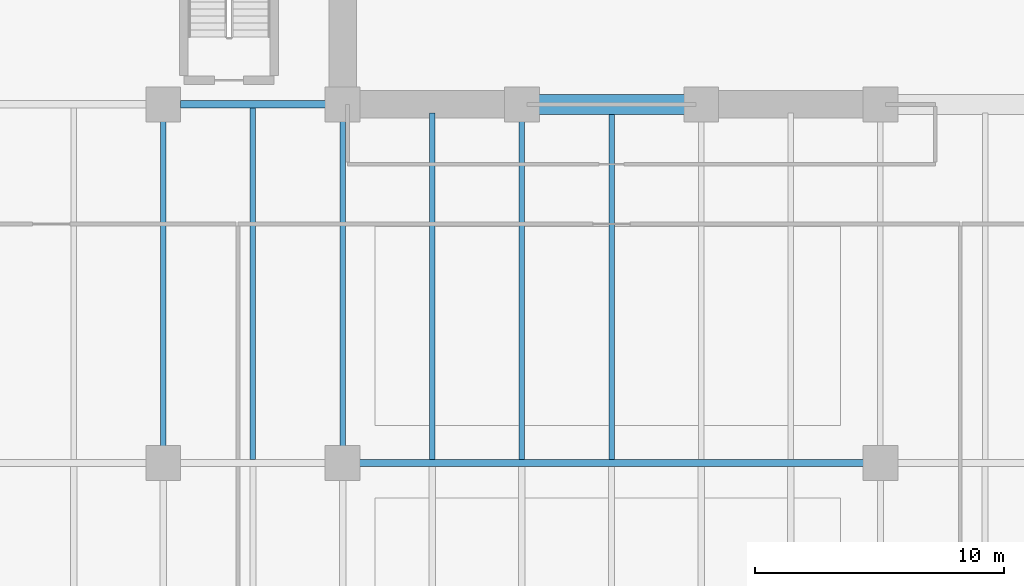
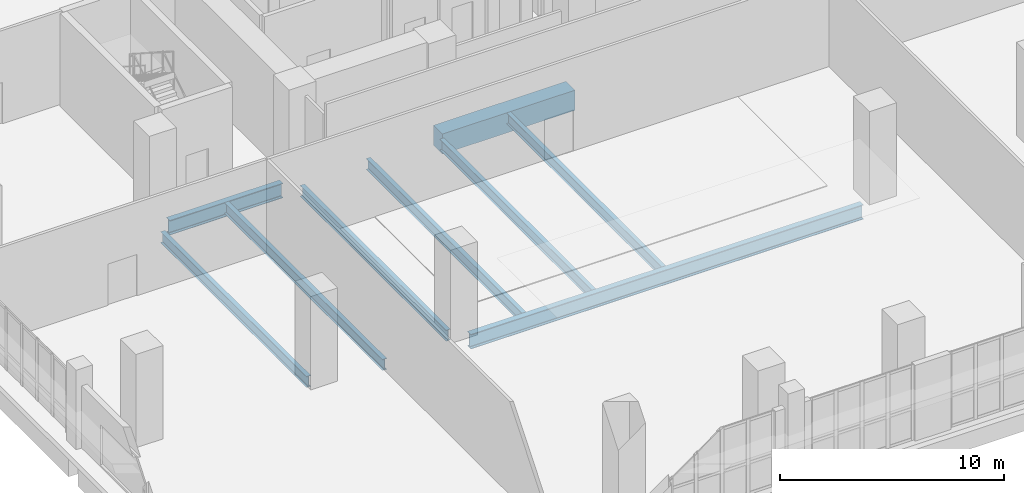
# One storey, part 7 of 25: 9 beams.
"""IFC4 building model written with IfcOpenShell, lengths in metres."""

import ifcopenshell
import ifcopenshell.guid

model = None  # the IFC model being written
_history = None  # IfcOwnerHistory: only IFC2X3 demands one
_inside = {}  # id of a spatial element -> (the spatial element, [elements in it])
_under = {}  # id of a project, library or spatial element -> (it, [spatial elements below it])
_declared = {}  # id of a project -> (the project, [libraries it declares])
_typed = {}  # id of a type object -> (the type object, [elements of that type])
_made_of = {}  # id of a material, layer set ... -> (it, [elements and type objects made of it])


def new_model(schema):
    """Start an empty IFC model of exactly this schema.

    Asked for "IFC4X3", IfcOpenShell would pick the latest addendum, in which some entities
    have other attributes; the version numbers below select the first issue.
    IFC2X3 requires an IfcOwnerHistory on every rooted entity: one is made here for all.
    """
    global model, _history
    if schema == "IFC4X3":
        model = ifcopenshell.file(schema_version=(4, 3, 0, 0))
    else:
        model = ifcopenshell.file(schema=schema)
    _inside.clear()
    _under.clear()
    _declared.clear()
    _typed.clear()
    _made_of.clear()
    _history = None
    if model.schema == "IFC2X3":
        org = make("IfcOrganization", Name="unknown")
        user = make(
            "IfcPersonAndOrganization",
            ThePerson=make("IfcPerson", FamilyName="unknown"),
            TheOrganization=org,
        )
        app = make(
            "IfcApplication",
            ApplicationDeveloper=org,
            Version="unknown",
            ApplicationFullName="unknown",
            ApplicationIdentifier="unknown",
        )
        _history = make(
            "IfcOwnerHistory",
            OwningUser=user,
            OwningApplication=app,
            ChangeAction="ADDED",
            CreationDate=0,
        )
    return model


def make(cls, **values):
    """One entity of the class cls with the attributes given. An attribute that is None is left unset."""
    return model.create_entity(
        cls, **{name: value for name, value in values.items() if value is not None}
    )


def rooted(cls, **values):
    """An entity with a GlobalId (a new one), such as an element, a storey or a relation."""
    return make(cls, GlobalId=ifcopenshell.guid.new(), OwnerHistory=_history, **values)


def si_unit(unit_type, name, prefix=None):
    """IfcSIUnit, for example si_unit("LENGTHUNIT", "METRE", prefix="MILLI")."""
    return make("IfcSIUnit", UnitType=unit_type, Prefix=prefix, Name=name)


def assignment(units):
    """IfcUnitAssignment: the units of a project."""
    return None if units is None else make("IfcUnitAssignment", Units=units)


def point(xyz):
    """IfcCartesianPoint."""
    return None if xyz is None else make("IfcCartesianPoint", Coordinates=xyz)


def direction(xyz):
    """IfcDirection."""
    return None if xyz is None else make("IfcDirection", DirectionRatios=xyz)


def frame(location, z_axis=None, x_axis=None):
    """IfcAxis2Placement3D, a coordinate frame: its origin and axes. An axis left out is left unset."""
    return make(
        "IfcAxis2Placement3D",
        Location=point(location),
        Axis=direction(z_axis),
        RefDirection=direction(x_axis),
    )


def frame_2d(location, x_axis=None):
    """IfcAxis2Placement2D, a coordinate frame in the plane: its origin and x axis."""
    return make(
        "IfcAxis2Placement2D", Location=point(location), RefDirection=direction(x_axis)
    )


def origin():
    """The frame at (0, 0, 0) with its axes left unset."""
    return frame((0.0, 0.0, 0.0))


def origin_2d():
    """The frame at (0, 0) in the plane with its x axis left unset."""
    return frame_2d((0.0, 0.0))


def place(relative_to, where):
    """IfcLocalPlacement: puts the frame where relative to a parent placement (None: the world)."""
    return make(
        "IfcLocalPlacement", PlacementRelTo=relative_to, RelativePlacement=where
    )


def context(
    kind, dimensions, precision=None, world=None, true_north=None, identifier=None
):
    """IfcGeometricRepresentationContext, for example the 3D "Model" context."""
    return make(
        "IfcGeometricRepresentationContext",
        ContextIdentifier=identifier,
        ContextType=kind,
        CoordinateSpaceDimension=dimensions,
        Precision=precision,
        WorldCoordinateSystem=world,
        TrueNorth=true_north,
    )


def subcontext(parent, identifier, kind, view, scale=None):
    """IfcGeometricRepresentationSubContext, for example "Body" below "Model"."""
    return make(
        "IfcGeometricRepresentationSubContext",
        ContextIdentifier=identifier,
        ContextType=kind,
        ParentContext=parent,
        TargetScale=scale,
        TargetView=view,
    )


def project(units=None, contexts=None):
    """IfcProject with its units and contexts."""
    return rooted(
        "IfcProject",
        Name="project",
        RepresentationContexts=contexts,
        UnitsInContext=assignment(units),
    )


def spatial(cls, under=None, at=None, **own):
    """A site, building, storey or space (cls), placed at a placement, below another one or the project."""
    s = rooted(cls, ObjectPlacement=at, **own)
    if under is not None:
        _under.setdefault(under.id(), (under, []))[1].append(s)
    return s


def profile(cls, at=None, kind="AREA", **sizes):
    """A parametric profile (cls). Its sizes go by their IFC names, for example OverallWidth=200.0."""
    return make(cls, ProfileType=kind, Position=at, **sizes)


def rectangle(**sizes):
    """IfcRectangleProfileDef."""
    return profile("IfcRectangleProfileDef", **sizes)


def i_section(**sizes):
    """IfcIShapeProfileDef."""
    return profile("IfcIShapeProfileDef", **sizes)


def extrude(swept, where, along, depth):
    """IfcExtrudedAreaSolid: the profile swept, set in the frame where, extruded along a direction by depth."""
    return make(
        "IfcExtrudedAreaSolid",
        SweptArea=swept,
        Position=where,
        ExtrudedDirection=direction(along),
        Depth=depth,
    )


def shape(context_of_items, identifier, shape_type, items):
    """IfcShapeRepresentation: the items that make up one representation, for example the "Body"."""
    return make(
        "IfcShapeRepresentation",
        ContextOfItems=context_of_items,
        RepresentationIdentifier=identifier,
        RepresentationType=shape_type,
        Items=items,
    )


def material(Name=None, Category=None):
    """IfcMaterial."""
    return make("IfcMaterial", Name=Name, Category=Category)


def material_profile(
    of_material, cross_section, Name=None, Category=None, Priority=None
):
    """IfcMaterialProfile: a cross section and its material."""
    return make(
        "IfcMaterialProfile",
        Name=Name,
        Material=of_material,
        Profile=cross_section,
        Priority=Priority,
        Category=Category,
    )


def profile_set(profiles, Name=None, composite=None):
    """IfcMaterialProfileSet."""
    return make(
        "IfcMaterialProfileSet",
        Name=Name,
        MaterialProfiles=profiles,
        CompositeProfile=composite,
    )


def made_of(thing, what):
    """Note that an element or type object is made of a material, layer set ...; save() writes the relation."""
    if what is not None:
        _made_of.setdefault(what.id(), (what, []))[1].append(thing)
    return thing


def type_object(cls, material=None, **own):
    """A type object (cls), such as IfcWallType, which elements share."""
    return made_of(rooted(cls, **own), material)


def element(
    cls,
    number,
    at=None,
    inside=None,
    cuts=None,
    type_object=None,
    material=None,
    context=None,
    identifier="Body",
    shape_type=None,
    held_by="IfcProductDefinitionShape",
    body=None,
    shapes=None,
    **own,
):
    """One element of the class cls, such as IfcWall. Its Tag is "e" and its number.

    at: its placement. inside: the storey or other place that contains it. cuts: it is an
    opening in that element (IfcRelVoidsElement). A single representation is given by context,
    identifier, shape_type and body (its items); several are given by shapes. held_by: the class
    of the entity that holds the representations. save() writes the other relations.
    """
    e = rooted(cls, Tag="e%d" % number, ObjectPlacement=at, **own)
    if body is not None:
        shapes = [shape(context, identifier, shape_type, body)]
    if shapes is not None:
        e.Representation = make(held_by, Representations=shapes)
    if inside is not None:
        _inside.setdefault(inside.id(), (inside, []))[1].append(e)
    if cuts is not None:
        rooted(
            "IfcRelVoidsElement", RelatingBuildingElement=cuts, RelatedOpeningElement=e
        )
    if type_object is not None:
        _typed.setdefault(type_object.id(), (type_object, []))[1].append(e)
    return made_of(e, material)


def aggregate(whole, parts):
    """IfcRelAggregates: a whole, such as a stair, and the parts it consists of."""
    return rooted("IfcRelAggregates", RelatingObject=whole, RelatedObjects=parts)


def save(model, path):
    """Write the relations noted so far, then the file.

    IfcRelAggregates (storeys below a building ...), IfcRelContainedInSpatialStructure (elements
    in a storey), IfcRelDefinesByType, IfcRelAssociatesMaterial and IfcRelDeclares: one each for
    every whole, place, type object, material and project.
    """
    for whole, parts in _under.values():
        aggregate(whole, parts)
    for where, things in _inside.values():
        rooted(
            "IfcRelContainedInSpatialStructure",
            RelatedElements=things,
            RelatingStructure=where,
        )
    for kind, things in _typed.values():
        rooted("IfcRelDefinesByType", RelatedObjects=things, RelatingType=kind)
    for what, things in _made_of.values():
        rooted("IfcRelAssociatesMaterial", RelatedObjects=things, RelatingMaterial=what)
    for by, libraries in _declared.values():
        rooted("IfcRelDeclares", RelatingContext=by, RelatedDefinitions=libraries)
    model.write(path)


model = new_model("IFC4")

# Units and contexts
model_context = context("Model", 3, precision=1e-05, world=origin(), true_north=direction((0.0, 1.0)))
body_context = subcontext(model_context, "Body", "Model", "MODEL_VIEW")
ifc_project = project(units=[si_unit("LENGTHUNIT", "METRE"), si_unit("AREAUNIT", "SQUARE_METRE"), si_unit("VOLUMEUNIT", "CUBIC_METRE"), si_unit("PLANEANGLEUNIT", "RADIAN"), si_unit("MASSUNIT", "GRAM", prefix="KILO")], contexts=[model_context])

# Site, building, storey
site_placement = place(None, origin())
site = spatial("IfcSite", under=ifc_project, at=site_placement, CompositionType="ELEMENT")
building_placement = place(site_placement, origin())
building = spatial("IfcBuilding", under=site, at=building_placement, Name="Kaelvorn Grand Hotel", CompositionType="ELEMENT")
storey_placement = place(building_placement, frame((0.0, 0.0, 14.0)))
storey = spatial("IfcBuildingStorey", under=building, at=storey_placement, Name="L02", CompositionType="ELEMENT", Elevation=14.0)

# Beams
ifc_material_1 = material(Name="Steel S355", Category="steel")
ifc_material_profile_1 = material_profile(ifc_material_1, i_section(OverallWidth=0.300048828125, OverallDepth=0.800048828125, WebThickness=0.017578125, FlangeThickness=0.032958984375, FilletRadius=0.030029296875, at=origin_2d()), Name="HEB 800")
ifc_profile_set_1 = profile_set([ifc_material_profile_1], Name="Steel S355")
beam_type_1 = type_object("IfcBeamType", Name="BM-G-HEB800-S355", PredefinedType="BEAM", material=ifc_profile_set_1)
beam_1_placement = place(storey_placement, frame((16.885009765625, 15.0, -0.719970703125), z_axis=(1.0, 0.0, 0.0), x_axis=(0.0, 1.0, 0.0)))
element("IfcBeam", 1, at=beam_1_placement, inside=storey, type_object=beam_type_1, Name="L02 Primary Spine Steel Girder G-15 04", PredefinedType="BEAM", context=body_context, shape_type="SweptSolid", body=[
    extrude(i_section(OverallWidth=0.300048828125, OverallDepth=0.800048828125, WebThickness=0.017578125, FlangeThickness=0.032958984375, FilletRadius=0.030029296875, at=origin_2d()), origin(), (0.0, 0.0, 1.0), 20.22998046875),
])
beam_2_placement = place(storey_placement, frame((9.68505859375, 29.39990234375, -0.719970703125), z_axis=(1.0, 0.0, 0.0), x_axis=(0.0, 1.0, 0.0)))
element("IfcBeam", 2, at=beam_2_placement, inside=storey, type_object=beam_type_1, Name="L02 West Core Wing Steel Girder G-29W 03", PredefinedType="BEAM", context=body_context, shape_type="SweptSolid", body=[
    extrude(i_section(OverallWidth=0.300048828125, OverallDepth=0.800048828125, WebThickness=0.017578125, FlangeThickness=0.032958984375, FilletRadius=0.030029296875, at=origin_2d()), origin(), (0.0, 0.0, 1.0), 5.829833984375),
])
ifc_material_profile_2 = material_profile(ifc_material_1, i_section(OverallWidth=0.219970703125, OverallDepth=0.60009765625, WebThickness=0.011962890625, FlangeThickness=0.01904296875, FilletRadius=0.02392578125, at=origin_2d()), Name="IPE 600")
ifc_profile_set_2 = profile_set([ifc_material_profile_2], Name="Steel S355")
beam_type_2 = type_object("IfcBeamType", Name="BM-J-IPE600-S355", PredefinedType="JOIST", material=ifc_profile_set_2)
beam_3_placement = place(storey_placement, frame((9.0, 15.68505859375, -0.6201171875), z_axis=(0.0, 1.0, 0.0), x_axis=(-1.0, 0.0, 0.0)))
element("IfcBeam", 3, at=beam_3_placement, inside=storey, type_object=beam_type_2, Name="L02 Composite Floor Joist JM-03", PredefinedType="JOIST", context=body_context, shape_type="SweptSolid", body=[
    extrude(i_section(OverallWidth=0.219970703125, OverallDepth=0.60009765625, WebThickness=0.011962890625, FlangeThickness=0.01904296875, FilletRadius=0.02392578125, at=origin_2d()), origin(), (0.0, 0.0, 1.0), 13.030029296875),
])
beam_4_placement = place(storey_placement, frame((12.60009765625, 15.135009765625, -0.6201171875), z_axis=(0.0, 1.0, 0.0), x_axis=(-1.0, 0.0, 0.0)))
element("IfcBeam", 4, at=beam_4_placement, inside=storey, type_object=beam_type_2, Name="L02 Composite Floor Joist JM-04", PredefinedType="JOIST", context=body_context, shape_type="SweptSolid", body=[
    extrude(i_section(OverallWidth=0.219970703125, OverallDepth=0.60009765625, WebThickness=0.011962890625, FlangeThickness=0.01904296875, FilletRadius=0.02392578125, at=origin_2d()), origin(), (0.0, 0.0, 1.0), 14.1298828125),
])
beam_5_placement = place(storey_placement, frame((16.199951171875, 15.68505859375, -0.6201171875), z_axis=(0.0, 1.0, 0.0), x_axis=(-1.0, 0.0, 0.0)))
element("IfcBeam", 5, at=beam_5_placement, inside=storey, type_object=beam_type_2, Name="L02 Composite Floor Joist JM-05", PredefinedType="JOIST", context=body_context, shape_type="SweptSolid", body=[
    extrude(i_section(OverallWidth=0.219970703125, OverallDepth=0.60009765625, WebThickness=0.011962890625, FlangeThickness=0.01904296875, FilletRadius=0.02392578125, at=origin_2d()), origin(), (0.0, 0.0, 1.0), 13.030029296875),
])
beam_6_placement = place(storey_placement, frame((19.800048828125, 15.135009765625, -0.6201171875), z_axis=(0.0, 1.0, 0.0), x_axis=(-1.0, 0.0, 0.0)))
element("IfcBeam", 6, at=beam_6_placement, inside=storey, type_object=beam_type_2, Name="L02 Composite Floor Joist JM-06", PredefinedType="JOIST", context=body_context, shape_type="SweptSolid", body=[
    extrude(i_section(OverallWidth=0.219970703125, OverallDepth=0.60009765625, WebThickness=0.011962890625, FlangeThickness=0.01904296875, FilletRadius=0.02392578125, at=origin_2d()), origin(), (0.0, 0.0, 1.0), 13.925048828125),
])
beam_7_placement = place(storey_placement, frame((23.39990234375, 15.135009765625, -0.6201171875), z_axis=(0.0, 1.0, 0.0), x_axis=(-1.0, 0.0, 0.0)))
element("IfcBeam", 7, at=beam_7_placement, inside=storey, type_object=beam_type_2, Name="L02 Composite Floor Joist JM-07", PredefinedType="JOIST", context=body_context, shape_type="SweptSolid", body=[
    extrude(i_section(OverallWidth=0.219970703125, OverallDepth=0.60009765625, WebThickness=0.011962890625, FlangeThickness=0.01904296875, FilletRadius=0.02392578125, at=origin_2d()), origin(), (0.0, 0.0, 1.0), 13.580078125),
])
beam_8_placement = place(storey_placement, frame((27.0, 15.135009765625, -0.6201171875), z_axis=(0.0, 1.0, 0.0), x_axis=(-1.0, 0.0, 0.0)))
element("IfcBeam", 8, at=beam_8_placement, inside=storey, type_object=beam_type_2, Name="L02 Composite Floor Joist JM-08", PredefinedType="JOIST", context=body_context, shape_type="SweptSolid", body=[
    extrude(i_section(OverallWidth=0.219970703125, OverallDepth=0.60009765625, WebThickness=0.011962890625, FlangeThickness=0.01904296875, FilletRadius=0.02392578125, at=origin_2d()), origin(), (0.0, 0.0, 1.0), 13.925048828125),
])
ifc_material_2 = material(Name="Concrete C60/75", Category="concrete")
ifc_material_profile_3 = material_profile(ifc_material_2, rectangle(XDim=0.800048828125, YDim=1.10009765625, at=origin_2d()), Name="RC LINTEL 800x1100")
ifc_profile_set_3 = profile_set([ifc_material_profile_3], Name="Concrete C60/75")
beam_type_3 = type_object("IfcBeamType", Name="BM-LIN-800x1100-C60", PredefinedType="LINTEL", material=ifc_profile_set_3)
beam_9_placement = place(storey_placement, frame((23.580078125, 29.39990234375, -0.8701171875), z_axis=(1.0, 0.0, 0.0), x_axis=(0.0, 1.0, 0.0)))
element("IfcBeam", 9, at=beam_9_placement, inside=storey, type_object=beam_type_3, Name="L02 Rear-Core Coupling Lintel Beam CB1-01", PredefinedType="LINTEL", context=body_context, shape_type="SweptSolid", body=[
    extrude(rectangle(XDim=0.800048828125, YDim=1.10009765625, at=origin_2d()), origin(), (0.0, 0.0, 1.0), 6.83984375),
])

save(model, "model.ifc")
